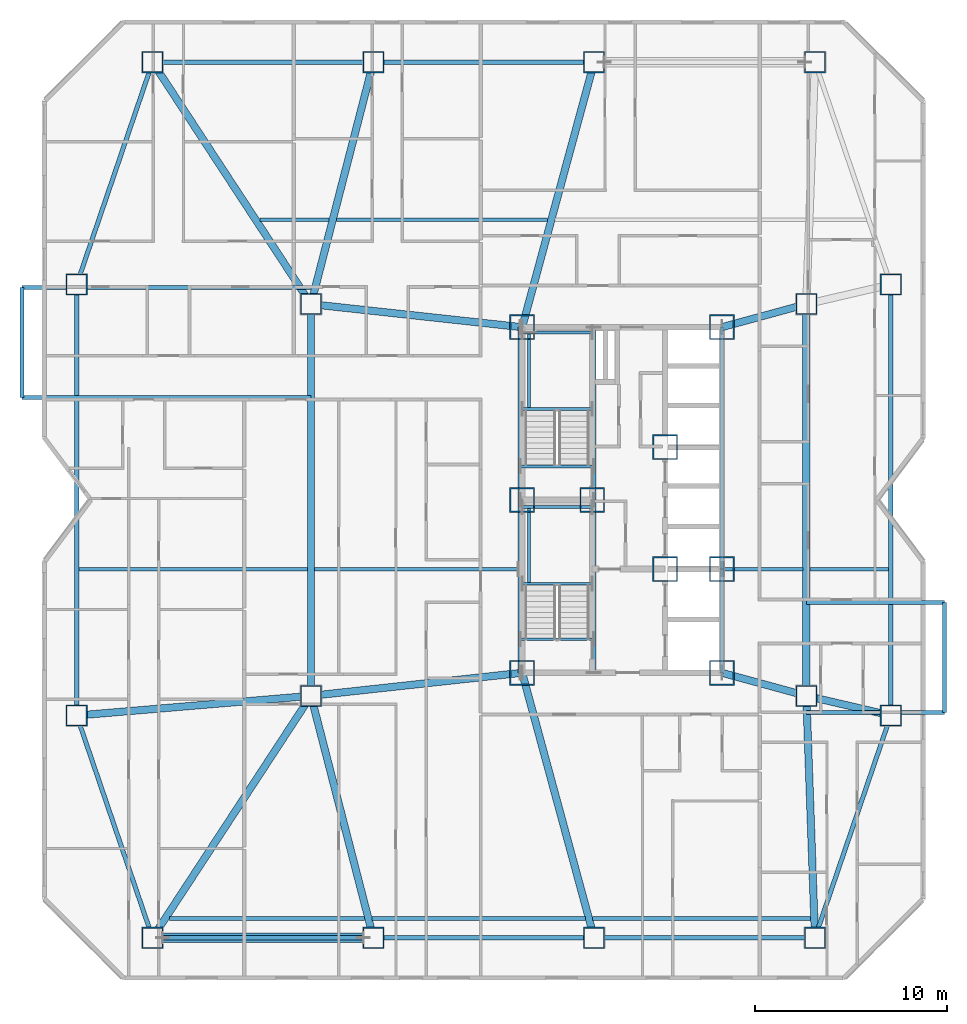
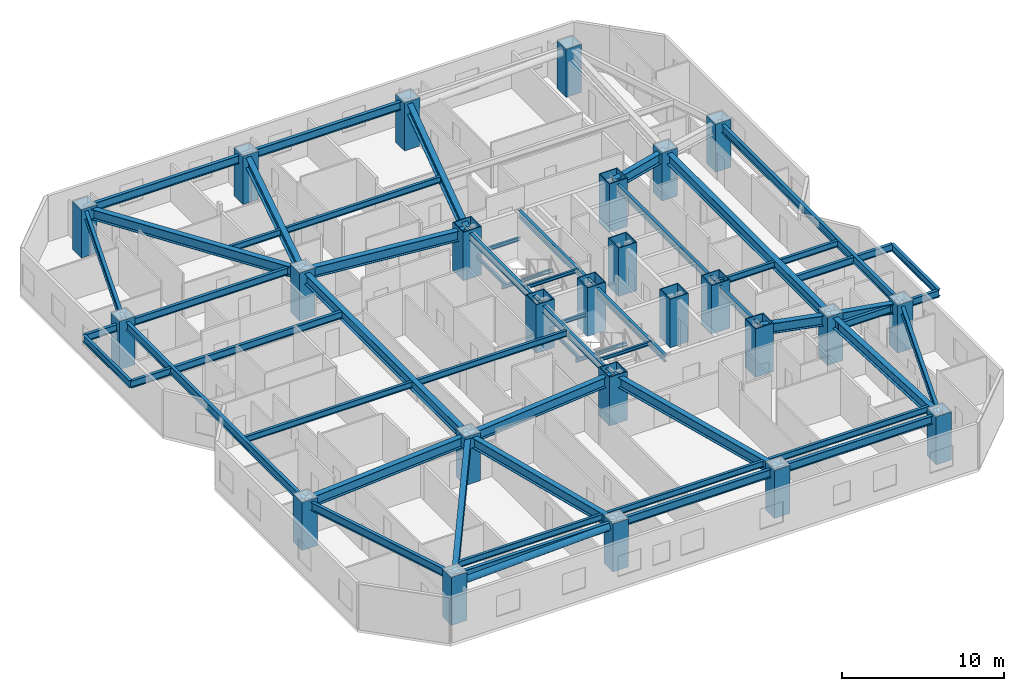
# One storey, part 1 of 17: 54 beams, 25 columns, 1 member.
"""IFC4 building model written with IfcOpenShell, lengths in metres."""

from ifc_helpers import new_model, si_unit, direction, frame, origin, origin_2d, place, context, subcontext, project, spatial, hollow_rectangle, hollow_circle, i_section, extrude, material, material_profile, profile_set, type_object, element, save


model = new_model("IFC4")

# Units and contexts
model_context = context("Model", 3, precision=1e-05, world=origin(), true_north=direction((0.0, 1.0)))
body_context = subcontext(model_context, "Body", "Model", "MODEL_VIEW")
ifc_project = project(units=[si_unit("LENGTHUNIT", "METRE"), si_unit("AREAUNIT", "SQUARE_METRE"), si_unit("VOLUMEUNIT", "CUBIC_METRE"), si_unit("PLANEANGLEUNIT", "RADIAN"), si_unit("MASSUNIT", "GRAM", prefix="KILO")], contexts=[model_context])

# Site, building, storey
site_placement = place(None, origin())
site = spatial("IfcSite", under=ifc_project, at=site_placement, CompositionType="ELEMENT")
building_placement = place(site_placement, origin())
building = spatial("IfcBuilding", under=site, at=building_placement, Name="Khamvora Tower", CompositionType="ELEMENT")
storey_placement = place(building_placement, frame((0.0, 0.0, 73.449951171875)))
storey = spatial("IfcBuildingStorey", under=building, at=storey_placement, Name="L18", CompositionType="ELEMENT", Elevation=73.449951171875)

# Columns
ifc_material_1 = material(Name="Steel S460", Category="steel")
ifc_material_profile_1 = material_profile(ifc_material_1, hollow_rectangle(XDim=1.10009765625, YDim=1.10009765625, WallThickness=0.054931640625, at=origin_2d()), Name="BOX1100x1100x55")
ifc_profile_set_1 = profile_set([ifc_material_profile_1], Name="Steel S460")
column_type_1 = type_object("IfcColumnType", Name="COL-BOX1100", PredefinedType="COLUMN", material=ifc_profile_set_1)
for number, where, z_axis, x_axis, name in (
    (1, (9.75, 5.199951171875, 0.0), (0.0, 0.0, 1.0), (1.0, 0.0, 0.0), "L18 structural frame column S1"),
    (2, (21.25, 5.199951171875, 0.0), (0.0, 0.0, 1.0), (1.0, 0.0, 0.0), "L18 structural frame column S2"),
    (3, (32.75, 5.199951171875, 0.0), (0.0, 0.0, 1.0), (1.0, 0.0, 0.0), "L18 structural frame column S3"),
    (4, (44.25, 5.199951171875, 0.0), (0.0, 0.0, 1.0), (1.0, 0.0, 0.0), "L18 structural frame column S4"),
    (5, (9.75, 50.800048828125, 0.0), (0.0, 0.0, 1.0), (1.0, 0.0, 0.0), "L18 structural frame column N1"),
    (6, (21.25, 50.800048828125, 0.0), (0.0, 0.0, 1.0), (1.0, 0.0, 0.0), "L18 structural frame column N2"),
    (7, (32.75, 50.800048828125, 0.0), (0.0, 0.0, 1.0), (1.0, 0.0, 0.0), "L18 structural frame column N3"),
    (8, (44.25, 50.800048828125, 0.0), (0.0, 0.0, 1.0), (1.0, 0.0, 0.0), "L18 structural frame column N4"),
    (9, (5.800048828125, 16.77490234375, 0.0), (0.0, 0.0, 1.0), (1.0, 0.0, 0.0), "L18 structural frame column W1"),
    (10, (5.800048828125, 39.22509765625, 0.0), (0.0, 0.0, 1.0), (1.0, 0.0, 0.0), "L18 structural frame column W2"),
    (11, (48.199951171875, 16.77490234375, 0.0), (0.0, 0.0, 1.0), (1.0, 0.0, 0.0), "L18 structural frame column E1"),
    (12, (48.199951171875, 39.22509765625, 0.0), (0.0, 0.0, 1.0), (1.0, 0.0, 0.0), "L18 structural frame column E2"),
    (13, (18.0, 17.800048828125, 0.0), (0.0, 0.0, 1.0), (1.0, 0.0, 0.0), "L18 structural frame column MW1"),
    (14, (18.0, 38.199951171875, 0.0), (0.0, 0.0, 1.0), (1.0, 0.0, 0.0), "L18 structural frame column MW2"),
    (15, (43.800048828125, 17.800048828125, 0.0), (0.0, 0.0, 1.0), (1.0, 0.0, 0.0), "L18 structural frame column M1"),
    (16, (43.800048828125, 38.199951171875, 0.0), (0.0, 0.0, 1.0), (1.0, 0.0, 0.0), "L18 structural frame column M2"),
):
    element("IfcColumn", number, at=place(storey_placement, frame(where, z_axis=z_axis, x_axis=x_axis)), inside=storey, type_object=column_type_1, Name=name, PredefinedType="COLUMN", context=body_context, shape_type="SweptSolid", body=[
        extrude(hollow_rectangle(XDim=1.10009765625, YDim=1.10009765625, WallThickness=0.054931640625, at=origin_2d()), origin(), (0.0, 0.0, 1.0), 3.625),
    ])
ifc_material_profile_2 = material_profile(ifc_material_1, hollow_rectangle(XDim=1.300048828125, YDim=1.300048828125, WallThickness=0.06494140625, at=origin_2d()), Name="BOX1300x1300x65")
ifc_profile_set_2 = profile_set([ifc_material_profile_2], Name="Steel S460")
column_type_2 = type_object("IfcColumnType", Name="COL-BOX1300", PredefinedType="COLUMN", material=ifc_profile_set_2)
for number, where, z_axis, x_axis, name in (
    (17, (29.0, 19.0, 0.0), (0.0, 0.0, 1.0), (1.0, 0.0, 0.0), "L18 plumb core spine column SC1"),
    (18, (32.64990234375, 28.0, 0.0), (0.0, 0.0, 1.0), (1.0, 0.0, 0.0), "L18 plumb core spine column SC2"),
    (19, (39.39990234375, 19.0, 0.0), (0.0, 0.0, 1.0), (1.0, 0.0, 0.0), "L18 plumb core spine column SC3"),
    (20, (29.0, 28.0, 0.0), (0.0, 0.0, 1.0), (1.0, 0.0, 0.0), "L18 plumb core spine column SC4"),
    (21, (36.449951171875, 24.39990234375, 0.0), (0.0, 0.0, 1.0), (1.0, 0.0, 0.0), "L18 plumb core spine column SC5"),
    (22, (39.39990234375, 24.39990234375, 0.0), (0.0, 0.0, 1.0), (1.0, 0.0, 0.0), "L18 plumb core spine column SC6"),
    (23, (29.0, 37.0, 0.0), (0.0, 0.0, 1.0), (1.0, 0.0, 0.0), "L18 plumb core spine column SC7"),
    (24, (36.449951171875, 30.75, 0.0), (0.0, 0.0, 1.0), (1.0, 0.0, 0.0), "L18 plumb core spine column SC8"),
    (25, (39.39990234375, 37.0, 0.0), (0.0, 0.0, 1.0), (1.0, 0.0, 0.0), "L18 plumb core spine column SC9"),
):
    element("IfcColumn", number, at=place(storey_placement, frame(where, z_axis=z_axis, x_axis=x_axis)), inside=storey, type_object=column_type_2, Name=name, PredefinedType="COLUMN", context=body_context, shape_type="SweptSolid", body=[
        extrude(hollow_rectangle(XDim=1.300048828125, YDim=1.300048828125, WallThickness=0.06494140625, at=origin_2d()), origin(), (0.0, 0.0, 1.0), 3.650146484375),
    ])

# Beams
ifc_material_2 = material(Name="Steel S355", Category="steel")
ifc_material_profile_3 = material_profile(ifc_material_2, i_section(OverallWidth=0.19189453125, OverallDepth=0.462890625, WebThickness=0.010986328125, FlangeThickness=0.01806640625, FilletRadius=0.011962890625, at=origin_2d()), Name="W460x89")
ifc_profile_set_3 = profile_set([ifc_material_profile_3], Name="Steel S355")
beam_type_1 = type_object("IfcBeamType", Name="BM-JS-W460x89", PredefinedType="JOIST", material=ifc_profile_set_3)
beam_1_placement = place(storey_placement, frame((10.626953125, 6.199951171875, 3.197998046875), z_axis=(1.0, 0.0, 0.0), x_axis=(0.0, 1.0, 0.0)))
element("IfcBeam", 26, at=beam_1_placement, inside=storey, type_object=beam_type_1, Name="L18 secondary floor joist 01", PredefinedType="JOIST", context=body_context, shape_type="SweptSolid", body=[
    extrude(i_section(OverallWidth=0.19189453125, OverallDepth=0.462890625, WebThickness=0.010986328125, FlangeThickness=0.01806640625, FilletRadius=0.011962890625, at=origin_2d()), origin(), (0.0, 0.0, 1.0), 10.173095703125),
])
beam_2_placement = place(storey_placement, frame((21.18408203125, 6.199951171875, 3.197998046875), z_axis=(1.0, 0.0, 0.0), x_axis=(0.0, 1.0, 0.0)))
element("IfcBeam", 27, at=beam_2_placement, inside=storey, type_object=beam_type_1, Name="L18 secondary floor joist 02", PredefinedType="JOIST", context=body_context, shape_type="SweptSolid", body=[
    extrude(i_section(OverallWidth=0.19189453125, OverallDepth=0.462890625, WebThickness=0.010986328125, FlangeThickness=0.01806640625, FilletRadius=0.011962890625, at=origin_2d()), origin(), (0.0, 0.0, 1.0), 11.101806640625),
])
beam_3_placement = place(storey_placement, frame((32.6708984375, 6.199951171875, 3.197998046875), z_axis=(1.0, 0.0, 0.0), x_axis=(0.0, 1.0, 0.0)))
element("IfcBeam", 28, at=beam_3_placement, inside=storey, type_object=beam_type_1, Name="L18 secondary floor joist 03", PredefinedType="JOIST", context=body_context, shape_type="SweptSolid", body=[
    extrude(i_section(OverallWidth=0.19189453125, OverallDepth=0.462890625, WebThickness=0.010986328125, FlangeThickness=0.01806640625, FilletRadius=0.011962890625, at=origin_2d()), origin(), (0.0, 0.0, 1.0), 11.358154296875),
])
beam_4_placement = place(storey_placement, frame((5.909912109375, 24.39990234375, 3.197998046875), z_axis=(1.0, 0.0, 0.0), x_axis=(0.0, 1.0, 0.0)))
element("IfcBeam", 29, at=beam_4_placement, inside=storey, type_object=beam_type_1, Name="L18 secondary floor joist 04", PredefinedType="JOIST", context=body_context, shape_type="SweptSolid", body=[
    extrude(i_section(OverallWidth=0.19189453125, OverallDepth=0.462890625, WebThickness=0.010986328125, FlangeThickness=0.01806640625, FilletRadius=0.011962890625, at=origin_2d()), origin(), (0.0, 0.0, 1.0), 11.904052734375),
])
beam_5_placement = place(storey_placement, frame((18.18603515625, 24.39990234375, 3.197998046875), z_axis=(1.0, 0.0, 0.0), x_axis=(0.0, 1.0, 0.0)))
element("IfcBeam", 30, at=beam_5_placement, inside=storey, type_object=beam_type_1, Name="L18 secondary floor joist 05", PredefinedType="JOIST", context=body_context, shape_type="SweptSolid", body=[
    extrude(i_section(OverallWidth=0.19189453125, OverallDepth=0.462890625, WebThickness=0.010986328125, FlangeThickness=0.01806640625, FilletRadius=0.011962890625, at=origin_2d()), origin(), (0.0, 0.0, 1.0), 10.614013671875),
])
beam_6_placement = place(storey_placement, frame((39.4990234375, 24.39990234375, 3.197998046875), z_axis=(1.0, 0.0, 0.0), x_axis=(0.0, 1.0, 0.0)))
element("IfcBeam", 31, at=beam_6_placement, inside=storey, type_object=beam_type_1, Name="L18 secondary floor joist 06", PredefinedType="JOIST", context=body_context, shape_type="SweptSolid", body=[
    extrude(i_section(OverallWidth=0.19189453125, OverallDepth=0.462890625, WebThickness=0.010986328125, FlangeThickness=0.01806640625, FilletRadius=0.011962890625, at=origin_2d()), origin(), (0.0, 0.0, 1.0), 4.114990234375),
])
beam_7_placement = place(storey_placement, frame((43.985107421875, 24.39990234375, 3.197998046875), z_axis=(1.0, 0.0, 0.0), x_axis=(0.0, 1.0, 0.0)))
element("IfcBeam", 32, at=beam_7_placement, inside=storey, type_object=beam_type_1, Name="L18 secondary floor joist 07", PredefinedType="JOIST", context=body_context, shape_type="SweptSolid", body=[
    extrude(i_section(OverallWidth=0.19189453125, OverallDepth=0.462890625, WebThickness=0.010986328125, FlangeThickness=0.01806640625, FilletRadius=0.011962890625, at=origin_2d()), origin(), (0.0, 0.0, 1.0), 4.10498046875),
])
beam_8_placement = place(storey_placement, frame((15.342041015625, 42.60009765625, 3.197998046875), z_axis=(1.0, 0.0, 0.0), x_axis=(0.0, 1.0, 0.0)))
element("IfcBeam", 33, at=beam_8_placement, inside=storey, type_object=beam_type_1, Name="L18 secondary floor joist 08", PredefinedType="JOIST", context=body_context, shape_type="SweptSolid", body=[
    extrude(i_section(OverallWidth=0.19189453125, OverallDepth=0.462890625, WebThickness=0.010986328125, FlangeThickness=0.01806640625, FilletRadius=0.011962890625, at=origin_2d()), origin(), (0.0, 0.0, 1.0), 3.60107421875),
])
beam_9_placement = place(storey_placement, frame((19.326904296875, 42.60009765625, 3.197998046875), z_axis=(1.0, 0.0, 0.0), x_axis=(0.0, 1.0, 0.0)))
element("IfcBeam", 34, at=beam_9_placement, inside=storey, type_object=beam_type_1, Name="L18 secondary floor joist 09", PredefinedType="JOIST", context=body_context, shape_type="SweptSolid", body=[
    extrude(i_section(OverallWidth=0.19189453125, OverallDepth=0.462890625, WebThickness=0.010986328125, FlangeThickness=0.01806640625, FilletRadius=0.011962890625, at=origin_2d()), origin(), (0.0, 0.0, 1.0), 11.002197265625),
])
ifc_material_profile_4 = material_profile(ifc_material_2, i_section(OverallWidth=0.14697265625, OverallDepth=0.261962890625, WebThickness=0.007080078125, FlangeThickness=0.010986328125, FilletRadius=0.008056640625, at=origin_2d()), Name="W250x39")
ifc_profile_set_4 = profile_set([ifc_material_profile_4], Name="Steel S355")
beam_type_2 = type_object("IfcBeamType", Name="BM-LN-W250x39", PredefinedType="LINTEL", material=ifc_profile_set_4)
for number, where, z_axis, x_axis, name in (
    (35, (29.0, 23.635009765625, 1.494140625), (1.0, 0.0, 0.0), (0.0, 1.0, 0.0), "L18 ST-01 half-landing support beam 1.1"),
    (36, (29.0, 27.6298828125, 1.494140625), (1.0, 0.0, 0.0), (0.0, 1.0, 0.0), "L18 ST-01 half-landing support beam 1.2"),
):
    element("IfcBeam", number, at=place(storey_placement, frame(where, z_axis=z_axis, x_axis=x_axis)), inside=storey, type_object=beam_type_2, Name=name, PredefinedType="LINTEL", context=body_context, shape_type="SweptSolid", body=[
        extrude(i_section(OverallWidth=0.14697265625, OverallDepth=0.261962890625, WebThickness=0.007080078125, FlangeThickness=0.010986328125, FilletRadius=0.008056640625, at=origin_2d()), origin(), (0.0, 0.0, 1.0), 3.64990234375),
    ])
beam_10_placement = place(storey_placement, frame((29.35009765625, 23.635009765625, 1.494140625), z_axis=(0.0, 1.0, 0.0), x_axis=(-1.0, 0.0, 0.0)))
element("IfcBeam", 37, at=beam_10_placement, inside=storey, type_object=beam_type_2, Name="L18 ST-01 half-landing edge stringer 1", PredefinedType="LINTEL", context=body_context, shape_type="SweptSolid", body=[
    extrude(i_section(OverallWidth=0.14697265625, OverallDepth=0.261962890625, WebThickness=0.007080078125, FlangeThickness=0.010986328125, FilletRadius=0.008056640625, at=origin_2d()), origin(), (0.0, 0.0, 1.0), 3.994873046875),
])
for number, where, z_axis, x_axis, name in (
    (38, (29.0, 32.735107421875, 1.494140625), (1.0, 0.0, 0.0), (0.0, 1.0, 0.0), "L18 ST-02 half-landing support beam 1.1"),
    (39, (29.0, 36.72998046875, 1.494140625), (1.0, 0.0, 0.0), (0.0, 1.0, 0.0), "L18 ST-02 half-landing support beam 1.2"),
):
    element("IfcBeam", number, at=place(storey_placement, frame(where, z_axis=z_axis, x_axis=x_axis)), inside=storey, type_object=beam_type_2, Name=name, PredefinedType="LINTEL", context=body_context, shape_type="SweptSolid", body=[
        extrude(i_section(OverallWidth=0.14697265625, OverallDepth=0.261962890625, WebThickness=0.007080078125, FlangeThickness=0.010986328125, FilletRadius=0.008056640625, at=origin_2d()), origin(), (0.0, 0.0, 1.0), 3.64990234375),
    ])
beam_11_placement = place(storey_placement, frame((29.35009765625, 32.735107421875, 1.494140625), z_axis=(0.0, 1.0, 0.0), x_axis=(-1.0, 0.0, 0.0)))
element("IfcBeam", 40, at=beam_11_placement, inside=storey, type_object=beam_type_2, Name="L18 ST-02 half-landing edge stringer 1", PredefinedType="LINTEL", context=body_context, shape_type="SweptSolid", body=[
    extrude(i_section(OverallWidth=0.14697265625, OverallDepth=0.261962890625, WebThickness=0.007080078125, FlangeThickness=0.010986328125, FilletRadius=0.008056640625, at=origin_2d()), origin(), (0.0, 0.0, 1.0), 3.994873046875),
])
for number, where, z_axis, x_axis, name in (
    (41, (28.89990234375, 20.75, 3.303955078125), (1.0, 0.0, 0.0), (0.0, 1.0, 0.0), "L18 exit stair ST-01 landing trimmer beam"),
    (42, (28.89990234375, 29.75, 3.303955078125), (1.0, 0.0, 0.0), (0.0, 1.0, 0.0), "L18 exit stair ST-02 landing trimmer beam"),
):
    element("IfcBeam", number, at=place(storey_placement, frame(where, z_axis=z_axis, x_axis=x_axis)), inside=storey, type_object=beam_type_2, Name=name, PredefinedType="LINTEL", context=body_context, shape_type="SweptSolid", body=[
        extrude(i_section(OverallWidth=0.14697265625, OverallDepth=0.261962890625, WebThickness=0.007080078125, FlangeThickness=0.010986328125, FilletRadius=0.008056640625, at=origin_2d()), origin(), (0.0, 0.0, 1.0), 3.830078125),
    ])
ifc_material_profile_5 = material_profile(ifc_material_2, i_section(OverallWidth=0.381103515625, OverallDepth=0.77294921875, WebThickness=0.01708984375, FlangeThickness=0.027099609375, FilletRadius=0.01806640625, at=origin_2d()), Name="W760x257")
ifc_profile_set_5 = profile_set([ifc_material_profile_5], Name="Steel S355")
beam_type_3 = type_object("IfcBeamType", Name="BM-PG-W760x257", PredefinedType="BEAM", material=ifc_profile_set_5)
for number, where, z_axis, x_axis, name in (
    (43, (43.800048828125, 17.800048828125, 3.04296875), (0.0, 1.0, 0.0), (-1.0, 0.0, 0.0), "L18 longitudinal frame girder M1-M2"),
    (44, (18.0, 17.800048828125, 3.04296875), (0.0, 1.0, 0.0), (-1.0, 0.0, 0.0), "L18 longitudinal frame girder MW1-MW2"),
):
    element("IfcBeam", number, at=place(storey_placement, frame(where, z_axis=z_axis, x_axis=x_axis)), inside=storey, type_object=beam_type_3, Name=name, PredefinedType="BEAM", context=body_context, shape_type="SweptSolid", body=[
        extrude(i_section(OverallWidth=0.381103515625, OverallDepth=0.77294921875, WebThickness=0.01708984375, FlangeThickness=0.027099609375, FilletRadius=0.01806640625, at=origin_2d()), origin(), (0.0, 0.0, 1.0), 20.39990234375),
    ])
beam_12_placement = place(storey_placement, frame((18.0, 17.800048828125, 3.04296875), z_axis=(-0.547782969742, -0.836620474325, 0.0), x_axis=(0.836620474325, -0.547782969742, 0.0)))
element("IfcBeam", 45, at=beam_12_placement, inside=storey, type_object=beam_type_3, Name="L18 primary floor girder S1", PredefinedType="BEAM", context=body_context, shape_type="SweptSolid", body=[
    extrude(i_section(OverallWidth=0.381103515625, OverallDepth=0.77294921875, WebThickness=0.01708984375, FlangeThickness=0.027099609375, FilletRadius=0.01806640625, at=origin_2d()), origin(), (0.0, 0.0, 1.0), 15.060791015625),
])
beam_13_placement = place(storey_placement, frame((18.0, 17.800048828125, 3.04296875), z_axis=(0.249759990341, -0.968307775051, 0.0), x_axis=(0.968307775051, 0.249759990341, 0.0)))
element("IfcBeam", 46, at=beam_13_placement, inside=storey, type_object=beam_type_3, Name="L18 primary floor girder S2", PredefinedType="BEAM", context=body_context, shape_type="SweptSolid", body=[
    extrude(i_section(OverallWidth=0.381103515625, OverallDepth=0.77294921875, WebThickness=0.01708984375, FlangeThickness=0.027099609375, FilletRadius=0.01806640625, at=origin_2d()), origin(), (0.0, 0.0, 1.0), 13.012451171875),
])
beam_14_placement = place(storey_placement, frame((29.0, 19.0, 3.04296875), z_axis=(0.262228883577, -0.965005706003, 0.0), x_axis=(0.965005706003, 0.262228883577, 0.0)))
element("IfcBeam", 47, at=beam_14_placement, inside=storey, type_object=beam_type_3, Name="L18 primary floor girder S3", PredefinedType="BEAM", context=body_context, shape_type="SweptSolid", body=[
    extrude(i_section(OverallWidth=0.381103515625, OverallDepth=0.77294921875, WebThickness=0.01708984375, FlangeThickness=0.027099609375, FilletRadius=0.01806640625, at=origin_2d()), origin(), (0.0, 0.0, 1.0), 14.300537109375),
])
beam_15_placement = place(storey_placement, frame((43.800048828125, 17.800048828125, 3.04296875), z_axis=(0.035687386423, -0.999363002342, 0.0), x_axis=(0.999363002342, 0.035687386423, 0.0)))
element("IfcBeam", 48, at=beam_15_placement, inside=storey, type_object=beam_type_3, Name="L18 primary floor girder S4", PredefinedType="BEAM", context=body_context, shape_type="SweptSolid", body=[
    extrude(i_section(OverallWidth=0.381103515625, OverallDepth=0.77294921875, WebThickness=0.01708984375, FlangeThickness=0.027099609375, FilletRadius=0.01806640625, at=origin_2d()), origin(), (0.0, 0.0, 1.0), 12.608154296875),
])
beam_16_placement = place(storey_placement, frame((18.0, 38.199951171875, 3.04296875), z_axis=(-0.547782969742, 0.836620474325, 0.0), x_axis=(-0.836620474325, -0.547782969742, 0.0)))
element("IfcBeam", 49, at=beam_16_placement, inside=storey, type_object=beam_type_3, Name="L18 primary floor girder N1", PredefinedType="BEAM", context=body_context, shape_type="SweptSolid", body=[
    extrude(i_section(OverallWidth=0.381103515625, OverallDepth=0.77294921875, WebThickness=0.01708984375, FlangeThickness=0.027099609375, FilletRadius=0.01806640625, at=origin_2d()), origin(), (0.0, 0.0, 1.0), 15.060791015625),
])
beam_17_placement = place(storey_placement, frame((18.0, 38.199951171875, 3.04296875), z_axis=(0.249759990341, 0.968307775051, 0.0), x_axis=(-0.968307775051, 0.249759990341, 0.0)))
element("IfcBeam", 50, at=beam_17_placement, inside=storey, type_object=beam_type_3, Name="L18 primary floor girder N2", PredefinedType="BEAM", context=body_context, shape_type="SweptSolid", body=[
    extrude(i_section(OverallWidth=0.381103515625, OverallDepth=0.77294921875, WebThickness=0.01708984375, FlangeThickness=0.027099609375, FilletRadius=0.01806640625, at=origin_2d()), origin(), (0.0, 0.0, 1.0), 13.012451171875),
])
beam_18_placement = place(storey_placement, frame((29.0, 37.0, 3.04296875), z_axis=(0.262228883577, 0.965005706003, 0.0), x_axis=(-0.965005706003, 0.262228883577, 0.0)))
element("IfcBeam", 51, at=beam_18_placement, inside=storey, type_object=beam_type_3, Name="L18 primary floor girder N3", PredefinedType="BEAM", context=body_context, shape_type="SweptSolid", body=[
    extrude(i_section(OverallWidth=0.381103515625, OverallDepth=0.77294921875, WebThickness=0.01708984375, FlangeThickness=0.027099609375, FilletRadius=0.01806640625, at=origin_2d()), origin(), (0.0, 0.0, 1.0), 14.300537109375),
])
beam_19_placement = place(storey_placement, frame((18.0, 17.800048828125, 3.04296875), z_axis=(-0.996488172114, -0.083733642207, 0.0), x_axis=(0.083733642207, -0.996488172114, 0.0)))
element("IfcBeam", 52, at=beam_19_placement, inside=storey, type_object=beam_type_3, Name="L18 primary floor girder W1", PredefinedType="BEAM", context=body_context, shape_type="SweptSolid", body=[
    extrude(i_section(OverallWidth=0.381103515625, OverallDepth=0.77294921875, WebThickness=0.01708984375, FlangeThickness=0.027099609375, FilletRadius=0.01806640625, at=origin_2d()), origin(), (0.0, 0.0, 1.0), 12.242919921875),
])
beam_20_placement = place(storey_placement, frame((43.800048828125, 17.800048828125, 3.04296875), z_axis=(0.973914503503, -0.226915270237, 0.0), x_axis=(0.226915270237, 0.973914503503, 0.0)))
element("IfcBeam", 53, at=beam_20_placement, inside=storey, type_object=beam_type_3, Name="L18 primary floor girder E1", PredefinedType="BEAM", context=body_context, shape_type="SweptSolid", body=[
    extrude(i_section(OverallWidth=0.381103515625, OverallDepth=0.77294921875, WebThickness=0.01708984375, FlangeThickness=0.027099609375, FilletRadius=0.01806640625, at=origin_2d()), origin(), (0.0, 0.0, 1.0), 4.517822265625),
])
for number, where, z_axis, x_axis, name in (
    (54, (29.0, 19.0, 3.04296875), (-0.994102652327, -0.108443149329, 0.0), (0.108443149329, -0.994102652327, 0.0), "L18 primary floor girder MW1"),
    (55, (29.0, 37.0, 3.04296875), (-0.994102652327, 0.108443149329, 0.0), (-0.108443149329, -0.994102652327, 0.0), "L18 primary floor girder MW2"),
):
    element("IfcBeam", number, at=place(storey_placement, frame(where, z_axis=z_axis, x_axis=x_axis)), inside=storey, type_object=beam_type_3, Name=name, PredefinedType="BEAM", context=body_context, shape_type="SweptSolid", body=[
        extrude(i_section(OverallWidth=0.381103515625, OverallDepth=0.77294921875, WebThickness=0.01708984375, FlangeThickness=0.027099609375, FilletRadius=0.01806640625, at=origin_2d()), origin(), (0.0, 0.0, 1.0), 11.065185546875),
    ])
for number, where, z_axis, x_axis, name in (
    (56, (39.39990234375, 19.0, 3.04296875), (0.964768762286, -0.263099287945, 0.0), (0.263099287945, 0.964768762286, 0.0), "L18 primary floor girder M1"),
    (57, (39.39990234375, 37.0, 3.04296875), (0.964768762286, 0.263099287945, 0.0), (-0.263099287945, 0.964768762286, 0.0), "L18 primary floor girder M2"),
):
    element("IfcBeam", number, at=place(storey_placement, frame(where, z_axis=z_axis, x_axis=x_axis)), inside=storey, type_object=beam_type_3, Name=name, PredefinedType="BEAM", context=body_context, shape_type="SweptSolid", body=[
        extrude(i_section(OverallWidth=0.381103515625, OverallDepth=0.77294921875, WebThickness=0.01708984375, FlangeThickness=0.027099609375, FilletRadius=0.01806640625, at=origin_2d()), origin(), (0.0, 0.0, 1.0), 4.560791015625),
    ])
ifc_material_profile_6 = material_profile(ifc_material_2, i_section(OverallWidth=0.208984375, OverallDepth=0.532958984375, WebThickness=0.010009765625, FlangeThickness=0.01611328125, FilletRadius=0.013916015625, at=origin_2d()), Name="W530x92")
ifc_profile_set_6 = profile_set([ifc_material_profile_6], Name="Steel S355")
beam_type_4 = type_object("IfcBeamType", Name="BM-SP-W530x92", PredefinedType="SPANDREL", material=ifc_profile_set_6)
for number, where, z_axis, x_axis, name in (
    (58, (28.89990234375, 19.0, 3.1640625), (0.0, 1.0, 0.0), (-1.0, 0.0, 0.0), "L18 core spine girder WS"),
    (59, (28.89990234375, 28.0, 3.1640625), (0.0, 1.0, 0.0), (-1.0, 0.0, 0.0), "L18 core spine girder WN"),
    (60, (32.72998046875, 19.0, 3.1640625), (0.0, 1.0, 0.0), (-1.0, 0.0, 0.0), "L18 core spine girder M1S"),
    (61, (32.72998046875, 28.0, 3.1640625), (0.0, 1.0, 0.0), (-1.0, 0.0, 0.0), "L18 core spine girder M1N"),
):
    element("IfcBeam", number, at=place(storey_placement, frame(where, z_axis=z_axis, x_axis=x_axis)), inside=storey, type_object=beam_type_4, Name=name, PredefinedType="SPANDREL", context=body_context, shape_type="SweptSolid", body=[
        extrude(i_section(OverallWidth=0.208984375, OverallDepth=0.532958984375, WebThickness=0.010009765625, FlangeThickness=0.01611328125, FilletRadius=0.013916015625, at=origin_2d()), origin(), (0.0, 0.0, 1.0), 9.0),
    ])
beam_21_placement = place(storey_placement, frame((39.39990234375, 19.0, 3.1640625), z_axis=(0.0, 1.0, 0.0), x_axis=(-1.0, 0.0, 0.0)))
element("IfcBeam", 62, at=beam_21_placement, inside=storey, type_object=beam_type_4, Name="L18 core spine girder ES", PredefinedType="SPANDREL", context=body_context, shape_type="SweptSolid", body=[
    extrude(i_section(OverallWidth=0.208984375, OverallDepth=0.532958984375, WebThickness=0.010009765625, FlangeThickness=0.01611328125, FilletRadius=0.013916015625, at=origin_2d()), origin(), (0.0, 0.0, 1.0), 5.39990234375),
])
beam_22_placement = place(storey_placement, frame((39.39990234375, 24.39990234375, 3.1640625), z_axis=(0.0, 1.0, 0.0), x_axis=(-1.0, 0.0, 0.0)))
element("IfcBeam", 63, at=beam_22_placement, inside=storey, type_object=beam_type_4, Name="L18 core spine girder EN", PredefinedType="SPANDREL", context=body_context, shape_type="SweptSolid", body=[
    extrude(i_section(OverallWidth=0.208984375, OverallDepth=0.532958984375, WebThickness=0.010009765625, FlangeThickness=0.01611328125, FilletRadius=0.013916015625, at=origin_2d()), origin(), (0.0, 0.0, 1.0), 12.60009765625),
])
for number, where, z_axis, x_axis, name in (
    (64, (43.800048828125, 16.925048828125, 2.964111328125), (1.0, 0.0, 0.0), (0.0, 1.0, 0.0), "L18 continuous gallery cantilever girder L19-EL1-1"),
    (65, (43.800048828125, 22.64990234375, 2.964111328125), (1.0, 0.0, 0.0), (0.0, 1.0, 0.0), "L18 continuous gallery cantilever girder L19-EL1-2"),
):
    element("IfcBeam", number, at=place(storey_placement, frame(where, z_axis=z_axis, x_axis=x_axis)), inside=storey, type_object=beam_type_4, Name=name, PredefinedType="SPANDREL", context=body_context, shape_type="SweptSolid", body=[
        extrude(i_section(OverallWidth=0.208984375, OverallDepth=0.532958984375, WebThickness=0.010009765625, FlangeThickness=0.01611328125, FilletRadius=0.013916015625, at=origin_2d()), origin(), (0.0, 0.0, 1.0), 7.18505859375),
    ])
beam_23_placement = place(storey_placement, frame((50.985107421875, 16.925048828125, 2.964111328125), z_axis=(0.0, 1.0, 0.0), x_axis=(-1.0, 0.0, 0.0)))
element("IfcBeam", 66, at=beam_23_placement, inside=storey, type_object=beam_type_4, Name="L18 external gallery edge header beam L19-EL1", PredefinedType="SPANDREL", context=body_context, shape_type="SweptSolid", body=[
    extrude(i_section(OverallWidth=0.208984375, OverallDepth=0.532958984375, WebThickness=0.010009765625, FlangeThickness=0.01611328125, FilletRadius=0.013916015625, at=origin_2d()), origin(), (0.0, 0.0, 1.0), 5.724853515625),
])
for number, where, z_axis, x_axis, name in (
    (67, (18.0, 33.35009765625, 2.964111328125), (-1.0, 0.0, 0.0), (0.0, -1.0, 0.0), "L18 continuous gallery cantilever girder L19-WL2-1"),
    (68, (18.0, 39.074951171875, 2.964111328125), (-1.0, 0.0, 0.0), (0.0, -1.0, 0.0), "L18 continuous gallery cantilever girder L19-WL2-2"),
):
    element("IfcBeam", number, at=place(storey_placement, frame(where, z_axis=z_axis, x_axis=x_axis)), inside=storey, type_object=beam_type_4, Name=name, PredefinedType="SPANDREL", context=body_context, shape_type="SweptSolid", body=[
        extrude(i_section(OverallWidth=0.208984375, OverallDepth=0.532958984375, WebThickness=0.010009765625, FlangeThickness=0.01611328125, FilletRadius=0.013916015625, at=origin_2d()), origin(), (0.0, 0.0, 1.0), 15.050048828125),
    ])
beam_24_placement = place(storey_placement, frame((2.949951171875, 33.35009765625, 2.964111328125), z_axis=(0.0, 1.0, 0.0), x_axis=(-1.0, 0.0, 0.0)))
element("IfcBeam", 69, at=beam_24_placement, inside=storey, type_object=beam_type_4, Name="L18 external gallery edge header beam L19-WL2", PredefinedType="SPANDREL", context=body_context, shape_type="SweptSolid", body=[
    extrude(i_section(OverallWidth=0.208984375, OverallDepth=0.532958984375, WebThickness=0.010009765625, FlangeThickness=0.01611328125, FilletRadius=0.013916015625, at=origin_2d()), origin(), (0.0, 0.0, 1.0), 5.724853515625),
])
ifc_material_profile_7 = material_profile(ifc_material_2, i_section(OverallWidth=0.22998046875, OverallDepth=0.616943359375, WebThickness=0.012939453125, FlangeThickness=0.02197265625, FilletRadius=0.013916015625, at=origin_2d()), Name="W610x140")
ifc_profile_set_7 = profile_set([ifc_material_profile_7], Name="Steel S355")
beam_type_5 = type_object("IfcBeamType", Name="BM-SP-W610x140", PredefinedType="SPANDREL", material=ifc_profile_set_7)
beam_25_placement = place(storey_placement, frame((5.800048828125, 16.77490234375, 3.1220703125), z_axis=(0.322962893199, -0.946411628002, 0.0), x_axis=(0.946411628002, 0.322962893199, 0.0)))
element("IfcBeam", 70, at=beam_25_placement, inside=storey, type_object=beam_type_5, Name="L18 perimeter spandrel beam W1-S1", PredefinedType="SPANDREL", context=body_context, shape_type="SweptSolid", body=[
    extrude(i_section(OverallWidth=0.22998046875, OverallDepth=0.616943359375, WebThickness=0.012939453125, FlangeThickness=0.02197265625, FilletRadius=0.013916015625, at=origin_2d()), origin(), (0.0, 0.0, 1.0), 12.23046875),
])
for number, where, z_axis, x_axis, name in (
    (71, (9.75, 5.199951171875, 3.1220703125), (1.0, 0.0, 0.0), (0.0, 1.0, 0.0), "L18 perimeter spandrel beam S1-S2"),
    (72, (21.25, 5.199951171875, 3.1220703125), (1.0, 0.0, 0.0), (0.0, 1.0, 0.0), "L18 perimeter spandrel beam S2-S3"),
    (73, (32.75, 5.199951171875, 3.1220703125), (1.0, 0.0, 0.0), (0.0, 1.0, 0.0), "L18 perimeter spandrel beam S3-S4"),
):
    element("IfcBeam", number, at=place(storey_placement, frame(where, z_axis=z_axis, x_axis=x_axis)), inside=storey, type_object=beam_type_5, Name=name, PredefinedType="SPANDREL", context=body_context, shape_type="SweptSolid", body=[
        extrude(i_section(OverallWidth=0.22998046875, OverallDepth=0.616943359375, WebThickness=0.012939453125, FlangeThickness=0.02197265625, FilletRadius=0.013916015625, at=origin_2d()), origin(), (0.0, 0.0, 1.0), 11.5),
    ])
beam_26_placement = place(storey_placement, frame((44.25, 5.199951171875, 3.1220703125), z_axis=(0.322962893199, 0.946411628002, 0.0), x_axis=(-0.946411628002, 0.322962893199, 0.0)))
element("IfcBeam", 74, at=beam_26_placement, inside=storey, type_object=beam_type_5, Name="L18 perimeter spandrel beam S4-E1", PredefinedType="SPANDREL", context=body_context, shape_type="SweptSolid", body=[
    extrude(i_section(OverallWidth=0.22998046875, OverallDepth=0.616943359375, WebThickness=0.012939453125, FlangeThickness=0.02197265625, FilletRadius=0.013916015625, at=origin_2d()), origin(), (0.0, 0.0, 1.0), 12.23046875),
])
beam_27_placement = place(storey_placement, frame((48.199951171875, 16.77490234375, 3.1220703125), z_axis=(0.0, 1.0, 0.0), x_axis=(-1.0, 0.0, 0.0)))
element("IfcBeam", 75, at=beam_27_placement, inside=storey, type_object=beam_type_5, Name="L18 perimeter spandrel beam E1-E2", PredefinedType="SPANDREL", context=body_context, shape_type="SweptSolid", body=[
    extrude(i_section(OverallWidth=0.22998046875, OverallDepth=0.616943359375, WebThickness=0.012939453125, FlangeThickness=0.02197265625, FilletRadius=0.013916015625, at=origin_2d()), origin(), (0.0, 0.0, 1.0), 22.4501953125),
])
for number, where, z_axis, x_axis, name in (
    (76, (32.75, 50.800048828125, 3.1220703125), (-1.0, 0.0, 0.0), (0.0, -1.0, 0.0), "L18 perimeter spandrel beam N3-N2"),
    (77, (21.25, 50.800048828125, 3.1220703125), (-1.0, 0.0, 0.0), (0.0, -1.0, 0.0), "L18 perimeter spandrel beam N2-N1"),
):
    element("IfcBeam", number, at=place(storey_placement, frame(where, z_axis=z_axis, x_axis=x_axis)), inside=storey, type_object=beam_type_5, Name=name, PredefinedType="SPANDREL", context=body_context, shape_type="SweptSolid", body=[
        extrude(i_section(OverallWidth=0.22998046875, OverallDepth=0.616943359375, WebThickness=0.012939453125, FlangeThickness=0.02197265625, FilletRadius=0.013916015625, at=origin_2d()), origin(), (0.0, 0.0, 1.0), 11.5),
    ])
beam_28_placement = place(storey_placement, frame((9.75, 50.800048828125, 3.1220703125), z_axis=(-0.322962893199, -0.946411628002, 0.0), x_axis=(0.946411628002, -0.322962893199, 0.0)))
element("IfcBeam", 78, at=beam_28_placement, inside=storey, type_object=beam_type_5, Name="L18 perimeter spandrel beam N1-W2", PredefinedType="SPANDREL", context=body_context, shape_type="SweptSolid", body=[
    extrude(i_section(OverallWidth=0.22998046875, OverallDepth=0.616943359375, WebThickness=0.012939453125, FlangeThickness=0.02197265625, FilletRadius=0.013916015625, at=origin_2d()), origin(), (0.0, 0.0, 1.0), 12.23046875),
])
beam_29_placement = place(storey_placement, frame((5.800048828125, 39.22509765625, 3.1220703125), z_axis=(0.0, -1.0, 0.0), x_axis=(1.0, 0.0, 0.0)))
element("IfcBeam", 79, at=beam_29_placement, inside=storey, type_object=beam_type_5, Name="L18 perimeter spandrel beam W2-W1", PredefinedType="SPANDREL", context=body_context, shape_type="SweptSolid", body=[
    extrude(i_section(OverallWidth=0.22998046875, OverallDepth=0.616943359375, WebThickness=0.012939453125, FlangeThickness=0.02197265625, FilletRadius=0.013916015625, at=origin_2d()), origin(), (0.0, 0.0, 1.0), 22.4501953125),
])

# Member
ifc_material_profile_8 = material_profile(ifc_material_1, hollow_circle(Radius=0.25390625, WallThickness=0.02490234375, at=origin_2d()), Name="CHS508x25")
ifc_profile_set_8 = profile_set([ifc_material_profile_8], Name="Steel S460")
member_type = type_object("IfcMemberType", Name="MEM-BR-CHS508", PredefinedType="BRACE", material=ifc_profile_set_8)
member_placement = place(storey_placement, frame((10.280029296875, 5.199951171875, 2.699951171875), z_axis=(0.999259102168, 0.0, 0.038486968366), x_axis=(0.0, 1.0, 0.0)))
element("IfcMember", 80, at=member_placement, inside=storey, type_object=member_type, Name="L18 perimeter wind brace 1", PredefinedType="BRACE", context=body_context, shape_type="SweptSolid", body=[
    extrude(hollow_circle(Radius=0.25390625, WallThickness=0.02490234375, at=origin_2d()), origin(), (0.0, 0.0, 1.0), 10.44775390625),
])

save(model, "model.ifc")
